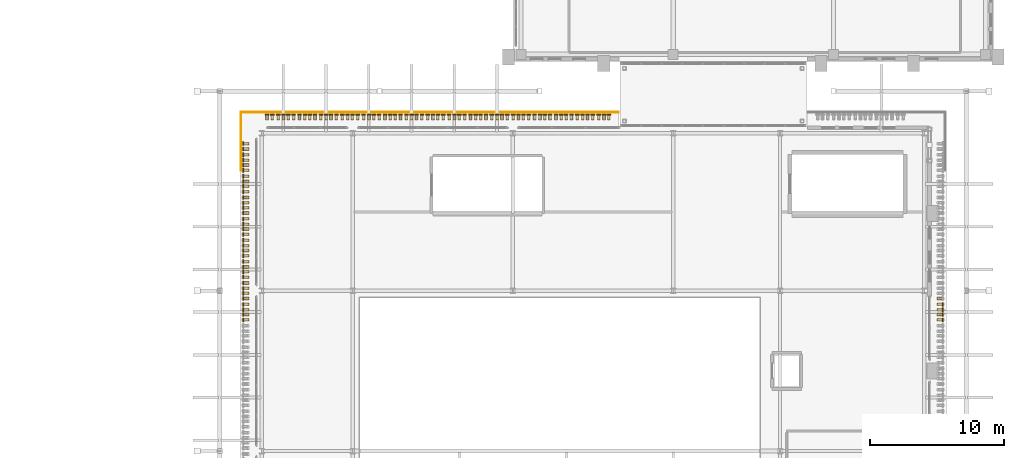
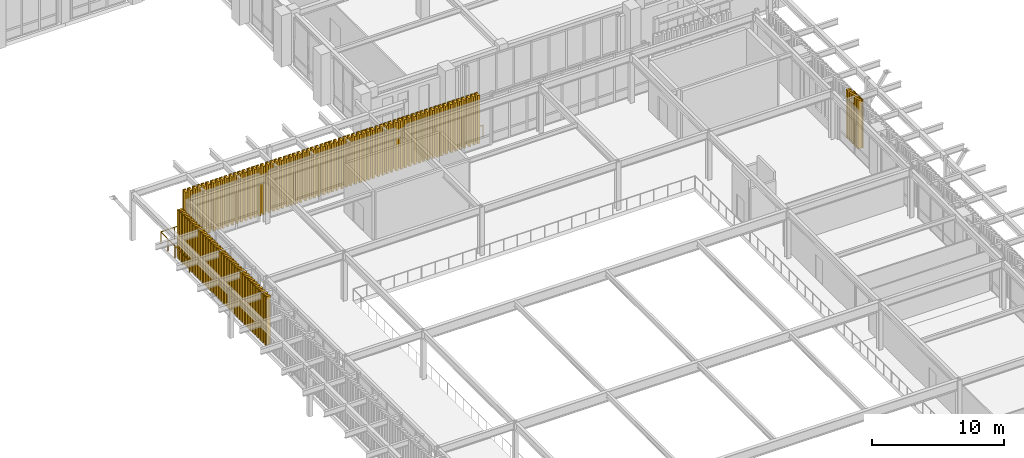
# One storey, part 123 of 126: 104 coverings, 103 shading devices, 1 railing.
"""IFC4 building model written with IfcOpenShell, lengths in metres."""

from ifc_helpers import new_model, si_unit, derived_unit, direction, frame, origin, origin_2d, place, context, subcontext, project, spatial, rectangle, circle, extrude, material, layer, layer_set, material_profile, profile_set, type_object, element, save


model = new_model("IFC4")

# Units and contexts
model_context = context("Model", 3, precision=1e-05, world=origin(), true_north=direction((0.0, 1.0)))
body_context = subcontext(model_context, "Body", "Model", "MODEL_VIEW")
ifc_project = project(units=[si_unit("LENGTHUNIT", "METRE"), si_unit("AREAUNIT", "SQUARE_METRE"), si_unit("VOLUMEUNIT", "CUBIC_METRE"), si_unit("PLANEANGLEUNIT", "RADIAN"), si_unit("MASSUNIT", "GRAM", prefix="KILO"), derived_unit("THERMALTRANSMITTANCEUNIT", [(si_unit("MASSUNIT", "GRAM", prefix="KILO"), 1), (si_unit("TIMEUNIT", "SECOND"), -3), (si_unit("THERMODYNAMICTEMPERATUREUNIT", "KELVIN"), -1)])], contexts=[model_context])

# Site, building, storey
site_placement = place(None, origin())
site = spatial("IfcSite", under=ifc_project, at=site_placement, CompositionType="ELEMENT")
building_placement = place(site_placement, origin())
building = spatial("IfcBuilding", under=site, at=building_placement, Name="Valcora Ridge Arena", CompositionType="ELEMENT")
storey_placement = place(building_placement, frame((0.0, 0.0, 11.39990234375)))
storey = spatial("IfcBuildingStorey", under=building, at=storey_placement, Name="L02", CompositionType="ELEMENT", Elevation=11.39990234375)

# Coverings
ifc_material_1 = material(Name="Anodised terracotta-bronze aluminium lancet batten 6063-T6", Category="masonry")
ifc_layer = layer(ifc_material_1, 0.199951171875, Name="Anodised terracotta-bronze aluminium lancet batten 6063-T6")
ifc_layer_set = layer_set([ifc_layer], Name="Anodised terracotta-bronze aluminium lancet batten 6063-T6")
covering_type = type_object("IfcCoveringType", Name="TY-COVERING-BAT-LANCET-448", PredefinedType="CLADDING", material=ifc_layer_set)
for number, where, z_axis, x_axis, name in (
    (1, (136.050048828125, 63.820068359375, 0.0), (0.0, 0.0, 1.0), (1.0, 0.0, 0.0), "BAT-LANCET-448 COV-BT-0293"),
    (2, (187.949951171875, 63.820068359375, 0.0), (0.0, 0.0, 1.0), (1.0, 0.0, 0.0), "BAT-LANCET-448 COV-BT-0294"),
    (3, (136.050048828125, 64.219970703125, 0.0), (0.0, 0.0, 1.0), (1.0, 0.0, 0.0), "BAT-LANCET-448 COV-BT-0295"),
    (4, (187.949951171875, 64.219970703125, 0.0), (0.0, 0.0, 1.0), (1.0, 0.0, 0.0), "BAT-LANCET-448 COV-BT-0296"),
    (5, (136.050048828125, 64.580078125, 0.0), (0.0, 0.0, 1.0), (1.0, 0.0, 0.0), "BAT-LANCET-448 COV-BT-0297"),
    (6, (187.949951171875, 64.580078125, 0.0), (0.0, 0.0, 1.0), (1.0, 0.0, 0.0), "BAT-LANCET-448 COV-BT-0298"),
    (7, (136.050048828125, 64.97998046875, 0.0), (0.0, 0.0, 1.0), (1.0, 0.0, 0.0), "BAT-LANCET-448 COV-BT-0299"),
    (8, (187.949951171875, 64.97998046875, 0.0), (0.0, 0.0, 1.0), (1.0, 0.0, 0.0), "BAT-LANCET-448 COV-BT-0300"),
    (9, (136.050048828125, 65.419921875, 0.0), (0.0, 0.0, 1.0), (1.0, 0.0, 0.0), "BAT-LANCET-448 COV-BT-0301"),
    (10, (187.949951171875, 65.419921875, 0.0), (0.0, 0.0, 1.0), (1.0, 0.0, 0.0), "BAT-LANCET-448 COV-BT-0302"),
    (11, (136.050048828125, 65.820068359375, 0.0), (0.0, 0.0, 1.0), (1.0, 0.0, 0.0), "BAT-LANCET-448 COV-BT-0303"),
    (12, (136.050048828125, 66.179931640625, 0.0), (0.0, 0.0, 1.0), (1.0, 0.0, 0.0), "BAT-LANCET-448 COV-BT-0305"),
    (13, (136.050048828125, 66.580078125, 0.0), (0.0, 0.0, 1.0), (1.0, 0.0, 0.0), "BAT-LANCET-448 COV-BT-0307"),
    (14, (136.050048828125, 67.02001953125, 0.0), (0.0, 0.0, 1.0), (1.0, 0.0, 0.0), "BAT-LANCET-448 COV-BT-0309"),
    (15, (136.050048828125, 67.419921875, 0.0), (0.0, 0.0, 1.0), (1.0, 0.0, 0.0), "BAT-LANCET-448 COV-BT-0311"),
    (16, (136.050048828125, 67.780029296875, 0.0), (0.0, 0.0, 1.0), (1.0, 0.0, 0.0), "BAT-LANCET-448 COV-BT-0313"),
    (17, (136.050048828125, 68.179931640625, 0.0), (0.0, 0.0, 1.0), (1.0, 0.0, 0.0), "BAT-LANCET-448 COV-BT-0315"),
    (18, (136.050048828125, 68.6201171875, 0.0), (0.0, 0.0, 1.0), (1.0, 0.0, 0.0), "BAT-LANCET-448 COV-BT-0317"),
    (19, (136.050048828125, 69.02001953125, 0.0), (0.0, 0.0, 1.0), (1.0, 0.0, 0.0), "BAT-LANCET-448 COV-BT-0319"),
    (20, (136.050048828125, 69.3798828125, 0.0), (0.0, 0.0, 1.0), (1.0, 0.0, 0.0), "BAT-LANCET-448 COV-BT-0321"),
    (21, (136.050048828125, 69.780029296875, 0.0), (0.0, 0.0, 1.0), (1.0, 0.0, 0.0), "BAT-LANCET-448 COV-BT-0323"),
    (22, (136.050048828125, 70.219970703125, 0.0), (0.0, 0.0, 1.0), (1.0, 0.0, 0.0), "BAT-LANCET-448 COV-BT-0325"),
    (23, (136.050048828125, 70.6201171875, 0.0), (0.0, 0.0, 1.0), (1.0, 0.0, 0.0), "BAT-LANCET-448 COV-BT-0327"),
    (24, (136.050048828125, 70.97998046875, 0.0), (0.0, 0.0, 1.0), (1.0, 0.0, 0.0), "BAT-LANCET-448 COV-BT-0329"),
    (25, (136.050048828125, 71.3798828125, 0.0), (0.0, 0.0, 1.0), (1.0, 0.0, 0.0), "BAT-LANCET-448 COV-BT-0331"),
    (26, (136.050048828125, 71.820068359375, 0.0), (0.0, 0.0, 1.0), (1.0, 0.0, 0.0), "BAT-LANCET-448 COV-BT-0333"),
    (27, (136.050048828125, 72.219970703125, 0.0), (0.0, 0.0, 1.0), (1.0, 0.0, 0.0), "BAT-LANCET-448 COV-BT-0335"),
    (28, (136.050048828125, 72.580078125, 0.0), (0.0, 0.0, 1.0), (1.0, 0.0, 0.0), "BAT-LANCET-448 COV-BT-0337"),
    (29, (136.050048828125, 72.97998046875, 0.0), (0.0, 0.0, 1.0), (1.0, 0.0, 0.0), "BAT-LANCET-448 COV-BT-0339"),
    (30, (136.050048828125, 73.419921875, 0.0), (0.0, 0.0, 1.0), (1.0, 0.0, 0.0), "BAT-LANCET-448 COV-BT-0341"),
    (31, (136.050048828125, 73.820068359375, 0.0), (0.0, 0.0, 1.0), (1.0, 0.0, 0.0), "BAT-LANCET-448 COV-BT-0343"),
    (32, (136.050048828125, 74.179931640625, 0.0), (0.0, 0.0, 1.0), (1.0, 0.0, 0.0), "BAT-LANCET-448 COV-BT-0345"),
    (33, (136.050048828125, 74.580078125, 0.0), (0.0, 0.0, 1.0), (1.0, 0.0, 0.0), "BAT-LANCET-448 COV-BT-0347"),
    (34, (136.050048828125, 75.02001953125, 0.0), (0.0, 0.0, 1.0), (1.0, 0.0, 0.0), "BAT-LANCET-448 COV-BT-0349"),
    (35, (136.050048828125, 75.419921875, 0.0), (0.0, 0.0, 1.0), (1.0, 0.0, 0.0), "BAT-LANCET-448 COV-BT-0351"),
    (36, (136.050048828125, 75.780029296875, 0.0), (0.0, 0.0, 1.0), (1.0, 0.0, 0.0), "BAT-LANCET-448 COV-BT-0353"),
    (37, (136.050048828125, 76.179931640625, 0.0), (0.0, 0.0, 1.0), (1.0, 0.0, 0.0), "BAT-LANCET-448 COV-BT-0355"),
    (38, (136.050048828125, 76.6201171875, 0.0), (0.0, 0.0, 1.0), (1.0, 0.0, 0.0), "BAT-LANCET-448 COV-BT-0357"),
    (39, (136.050048828125, 77.02001953125, 0.0), (0.0, 0.0, 1.0), (1.0, 0.0, 0.0), "BAT-LANCET-448 COV-BT-0359"),
):
    element("IfcCovering", number, at=place(storey_placement, frame(where, z_axis=z_axis, x_axis=x_axis)), inside=storey, type_object=covering_type, Name=name, PredefinedType="CLADDING", context=body_context, shape_type="SweptSolid", body=[
        extrude(rectangle(XDim=0.360107421875, YDim=0.199951171875, at=origin_2d()), origin(), (0.0, 0.0, 1.0), 4.47998046875),
    ])
for number, where, z_axis, x_axis, name in (
    (40, (137.580078125, 78.949951171875, 0.0), (0.0, 0.0, 1.0), (1.0, 0.0, 0.0), "BAT-LANCET-448 COV-BT-0362"),
    (41, (137.97998046875, 78.949951171875, 0.0), (0.0, 0.0, 1.0), (1.0, 0.0, 0.0), "BAT-LANCET-448 COV-BT-0364"),
    (42, (138.419921875, 78.949951171875, 0.0), (0.0, 0.0, 1.0), (1.0, 0.0, 0.0), "BAT-LANCET-448 COV-BT-0366"),
    (43, (138.820068359375, 78.949951171875, 0.0), (0.0, 0.0, 1.0), (1.0, 0.0, 0.0), "BAT-LANCET-448 COV-BT-0368"),
    (44, (139.179931640625, 78.949951171875, 0.0), (0.0, 0.0, 1.0), (1.0, 0.0, 0.0), "BAT-LANCET-448 COV-BT-0370"),
    (45, (139.580078125, 78.949951171875, 0.0), (0.0, 0.0, 1.0), (1.0, 0.0, 0.0), "BAT-LANCET-448 COV-BT-0372"),
    (46, (140.02001953125, 78.949951171875, 0.0), (0.0, 0.0, 1.0), (1.0, 0.0, 0.0), "BAT-LANCET-448 COV-BT-0374"),
    (47, (140.419921875, 78.949951171875, 0.0), (0.0, 0.0, 1.0), (1.0, 0.0, 0.0), "BAT-LANCET-448 COV-BT-0376"),
    (48, (140.780029296875, 78.949951171875, 0.0), (0.0, 0.0, 1.0), (1.0, 0.0, 0.0), "BAT-LANCET-448 COV-BT-0378"),
    (49, (141.179931640625, 78.949951171875, 0.0), (0.0, 0.0, 1.0), (1.0, 0.0, 0.0), "BAT-LANCET-448 COV-BT-0380"),
    (50, (141.6201171875, 78.949951171875, 0.0), (0.0, 0.0, 1.0), (1.0, 0.0, 0.0), "BAT-LANCET-448 COV-BT-0382"),
    (51, (142.02001953125, 78.949951171875, 0.0), (0.0, 0.0, 1.0), (1.0, 0.0, 0.0), "BAT-LANCET-448 COV-BT-0384"),
    (52, (142.3798828125, 78.949951171875, 0.0), (0.0, 0.0, 1.0), (1.0, 0.0, 0.0), "BAT-LANCET-448 COV-BT-0386"),
    (53, (142.780029296875, 78.949951171875, 0.0), (0.0, 0.0, 1.0), (1.0, 0.0, 0.0), "BAT-LANCET-448 COV-BT-0388"),
    (54, (143.219970703125, 78.949951171875, 0.0), (0.0, 0.0, 1.0), (1.0, 0.0, 0.0), "BAT-LANCET-448 COV-BT-0390"),
    (55, (143.6201171875, 78.949951171875, 0.0), (0.0, 0.0, 1.0), (1.0, 0.0, 0.0), "BAT-LANCET-448 COV-BT-0392"),
    (56, (143.97998046875, 78.949951171875, 0.0), (0.0, 0.0, 1.0), (1.0, 0.0, 0.0), "BAT-LANCET-448 COV-BT-0394"),
    (57, (144.3798828125, 78.949951171875, 0.0), (0.0, 0.0, 1.0), (1.0, 0.0, 0.0), "BAT-LANCET-448 COV-BT-0396"),
    (58, (144.820068359375, 78.949951171875, 0.0), (0.0, 0.0, 1.0), (1.0, 0.0, 0.0), "BAT-LANCET-448 COV-BT-0398"),
    (59, (145.219970703125, 78.949951171875, 0.0), (0.0, 0.0, 1.0), (1.0, 0.0, 0.0), "BAT-LANCET-448 COV-BT-0400"),
    (60, (145.580078125, 78.949951171875, 0.0), (0.0, 0.0, 1.0), (1.0, 0.0, 0.0), "BAT-LANCET-448 COV-BT-0402"),
    (61, (145.97998046875, 78.949951171875, 0.0), (0.0, 0.0, 1.0), (1.0, 0.0, 0.0), "BAT-LANCET-448 COV-BT-0404"),
    (62, (146.419921875, 78.949951171875, 0.0), (0.0, 0.0, 1.0), (1.0, 0.0, 0.0), "BAT-LANCET-448 COV-BT-0406"),
    (63, (146.820068359375, 78.949951171875, 0.0), (0.0, 0.0, 1.0), (1.0, 0.0, 0.0), "BAT-LANCET-448 COV-BT-0408"),
    (64, (147.179931640625, 78.949951171875, 0.0), (0.0, 0.0, 1.0), (1.0, 0.0, 0.0), "BAT-LANCET-448 COV-BT-0410"),
    (65, (147.580078125, 78.949951171875, 0.0), (0.0, 0.0, 1.0), (1.0, 0.0, 0.0), "BAT-LANCET-448 COV-BT-0412"),
    (66, (148.02001953125, 78.949951171875, 0.0), (0.0, 0.0, 1.0), (1.0, 0.0, 0.0), "BAT-LANCET-448 COV-BT-0414"),
    (67, (148.419921875, 78.949951171875, 0.0), (0.0, 0.0, 1.0), (1.0, 0.0, 0.0), "BAT-LANCET-448 COV-BT-0416"),
    (68, (148.780029296875, 78.949951171875, 0.0), (0.0, 0.0, 1.0), (1.0, 0.0, 0.0), "BAT-LANCET-448 COV-BT-0418"),
    (69, (149.179931640625, 78.949951171875, 0.0), (0.0, 0.0, 1.0), (1.0, 0.0, 0.0), "BAT-LANCET-448 COV-BT-0420"),
    (70, (149.6201171875, 78.949951171875, 0.0), (0.0, 0.0, 1.0), (1.0, 0.0, 0.0), "BAT-LANCET-448 COV-BT-0422"),
    (71, (150.02001953125, 78.949951171875, 0.0), (0.0, 0.0, 1.0), (1.0, 0.0, 0.0), "BAT-LANCET-448 COV-BT-0424"),
    (72, (150.3798828125, 78.949951171875, 0.0), (0.0, 0.0, 1.0), (1.0, 0.0, 0.0), "BAT-LANCET-448 COV-BT-0426"),
    (73, (150.780029296875, 78.949951171875, 0.0), (0.0, 0.0, 1.0), (1.0, 0.0, 0.0), "BAT-LANCET-448 COV-BT-0428"),
    (74, (151.219970703125, 78.949951171875, 0.0), (0.0, 0.0, 1.0), (1.0, 0.0, 0.0), "BAT-LANCET-448 COV-BT-0430"),
    (75, (151.6201171875, 78.949951171875, 0.0), (0.0, 0.0, 1.0), (1.0, 0.0, 0.0), "BAT-LANCET-448 COV-BT-0432"),
    (76, (151.97998046875, 78.949951171875, 0.0), (0.0, 0.0, 1.0), (1.0, 0.0, 0.0), "BAT-LANCET-448 COV-BT-0434"),
    (77, (152.3798828125, 78.949951171875, 0.0), (0.0, 0.0, 1.0), (1.0, 0.0, 0.0), "BAT-LANCET-448 COV-BT-0436"),
    (78, (152.820068359375, 78.949951171875, 0.0), (0.0, 0.0, 1.0), (1.0, 0.0, 0.0), "BAT-LANCET-448 COV-BT-0438"),
    (79, (153.219970703125, 78.949951171875, 0.0), (0.0, 0.0, 1.0), (1.0, 0.0, 0.0), "BAT-LANCET-448 COV-BT-0440"),
    (80, (153.580078125, 78.949951171875, 0.0), (0.0, 0.0, 1.0), (1.0, 0.0, 0.0), "BAT-LANCET-448 COV-BT-0442"),
    (81, (153.97998046875, 78.949951171875, 0.0), (0.0, 0.0, 1.0), (1.0, 0.0, 0.0), "BAT-LANCET-448 COV-BT-0444"),
    (82, (154.419921875, 78.949951171875, 0.0), (0.0, 0.0, 1.0), (1.0, 0.0, 0.0), "BAT-LANCET-448 COV-BT-0446"),
    (83, (154.820068359375, 78.949951171875, 0.0), (0.0, 0.0, 1.0), (1.0, 0.0, 0.0), "BAT-LANCET-448 COV-BT-0448"),
    (84, (155.179931640625, 78.949951171875, 0.0), (0.0, 0.0, 1.0), (1.0, 0.0, 0.0), "BAT-LANCET-448 COV-BT-0450"),
    (85, (155.580078125, 78.949951171875, 0.0), (0.0, 0.0, 1.0), (1.0, 0.0, 0.0), "BAT-LANCET-448 COV-BT-0452"),
    (86, (156.02001953125, 78.949951171875, 0.0), (0.0, 0.0, 1.0), (1.0, 0.0, 0.0), "BAT-LANCET-448 COV-BT-0454"),
    (87, (156.419921875, 78.949951171875, 0.0), (0.0, 0.0, 1.0), (1.0, 0.0, 0.0), "BAT-LANCET-448 COV-BT-0456"),
    (88, (156.780029296875, 78.949951171875, 0.0), (0.0, 0.0, 1.0), (1.0, 0.0, 0.0), "BAT-LANCET-448 COV-BT-0458"),
    (89, (157.179931640625, 78.949951171875, 0.0), (0.0, 0.0, 1.0), (1.0, 0.0, 0.0), "BAT-LANCET-448 COV-BT-0460"),
    (90, (157.6201171875, 78.949951171875, 0.0), (0.0, 0.0, 1.0), (1.0, 0.0, 0.0), "BAT-LANCET-448 COV-BT-0462"),
    (91, (158.02001953125, 78.949951171875, 0.0), (0.0, 0.0, 1.0), (1.0, 0.0, 0.0), "BAT-LANCET-448 COV-BT-0464"),
    (92, (158.3798828125, 78.949951171875, 0.0), (0.0, 0.0, 1.0), (1.0, 0.0, 0.0), "BAT-LANCET-448 COV-BT-0466"),
    (93, (158.780029296875, 78.949951171875, 0.0), (0.0, 0.0, 1.0), (1.0, 0.0, 0.0), "BAT-LANCET-448 COV-BT-0468"),
    (94, (159.219970703125, 78.949951171875, 0.0), (0.0, 0.0, 1.0), (1.0, 0.0, 0.0), "BAT-LANCET-448 COV-BT-0470"),
    (95, (159.6201171875, 78.949951171875, 0.0), (0.0, 0.0, 1.0), (1.0, 0.0, 0.0), "BAT-LANCET-448 COV-BT-0472"),
    (96, (159.97998046875, 78.949951171875, 0.0), (0.0, 0.0, 1.0), (1.0, 0.0, 0.0), "BAT-LANCET-448 COV-BT-0474"),
    (97, (160.3798828125, 78.949951171875, 0.0), (0.0, 0.0, 1.0), (1.0, 0.0, 0.0), "BAT-LANCET-448 COV-BT-0476"),
    (98, (160.820068359375, 78.949951171875, 0.0), (0.0, 0.0, 1.0), (1.0, 0.0, 0.0), "BAT-LANCET-448 COV-BT-0478"),
    (99, (161.219970703125, 78.949951171875, 0.0), (0.0, 0.0, 1.0), (1.0, 0.0, 0.0), "BAT-LANCET-448 COV-BT-0480"),
    (100, (161.580078125, 78.949951171875, 0.0), (0.0, 0.0, 1.0), (1.0, 0.0, 0.0), "BAT-LANCET-448 COV-BT-0482"),
    (101, (161.97998046875, 78.949951171875, 0.0), (0.0, 0.0, 1.0), (1.0, 0.0, 0.0), "BAT-LANCET-448 COV-BT-0484"),
    (102, (162.419921875, 78.949951171875, 0.0), (0.0, 0.0, 1.0), (1.0, 0.0, 0.0), "BAT-LANCET-448 COV-BT-0486"),
    (103, (162.820068359375, 78.949951171875, 0.0), (0.0, 0.0, 1.0), (1.0, 0.0, 0.0), "BAT-LANCET-448 COV-BT-0488"),
    (104, (163.179931640625, 78.949951171875, 0.0), (0.0, 0.0, 1.0), (1.0, 0.0, 0.0), "BAT-LANCET-448 COV-BT-0490"),
):
    element("IfcCovering", number, at=place(storey_placement, frame(where, z_axis=z_axis, x_axis=x_axis)), inside=storey, type_object=covering_type, Name=name, PredefinedType="CLADDING", context=body_context, shape_type="SweptSolid", body=[
        extrude(rectangle(XDim=0.199951171875, YDim=0.360107421875, at=origin_2d()), origin(), (0.0, 0.0, 1.0), 4.47998046875),
    ])

# Railing
ifc_material_2 = material(Name="Galvanized painted steel ASTM A500 Grade B", Category="steel")
railing_type = type_object("IfcRailingType", Name="TY-RAILING-GRD-VOID-1120", PredefinedType="GUARDRAIL", material=ifc_material_2)
railing_placement = place(storey_placement, frame((135.6298828125, 75.0, 0.0)))
element("IfcRailing", 105, at=railing_placement, inside=storey, type_object=railing_type, Name="GRD-VOID-1120 RAL-DK-0026", PredefinedType="GUARDRAIL", context=body_context, shape_type="SweptSolid", body=[
    extrude(circle(Radius=0.02392578125, at=origin_2d()), frame((0.0, 0.0, 1.09619140625), z_axis=(0.0, 1.0, 0.0), x_axis=(-1.0, 0.0, 0.0)), (0.0, 0.0, 1.0), 4.3701171875),
    extrude(circle(Radius=0.02392578125, at=origin_2d()), frame((0.0, 4.3701171875, 1.09619140625), z_axis=(1.0, 0.0, 0.0), x_axis=(0.0, 1.0, 0.0)), (0.0, 0.0, 1.0), 28.2900390625),
    extrude(circle(Radius=0.02099609375, at=origin_2d()), origin(), (0.0, 0.0, 1.0), 1.072021484375),
    extrude(circle(Radius=0.02099609375, at=origin_2d()), frame((0.0, 1.092529296875, 0.0)), (0.0, 0.0, 1.0), 1.072021484375),
    extrude(circle(Radius=0.02099609375, at=origin_2d()), frame((0.0, 2.18505859375, 0.0)), (0.0, 0.0, 1.0), 1.072021484375),
    extrude(circle(Radius=0.02099609375, at=origin_2d()), frame((0.0, 3.277587890625, 0.0)), (0.0, 0.0, 1.0), 1.072021484375),
    extrude(circle(Radius=0.02099609375, at=origin_2d()), frame((0.0, 4.3701171875, 0.0)), (0.0, 0.0, 1.0), 1.072021484375),
    extrude(circle(Radius=0.02099609375, at=origin_2d()), frame((1.1787109375, 4.3701171875, 0.0)), (0.0, 0.0, 1.0), 1.072021484375),
    extrude(circle(Radius=0.02099609375, at=origin_2d()), frame((2.357421875, 4.3701171875, 0.0)), (0.0, 0.0, 1.0), 1.072021484375),
    extrude(circle(Radius=0.02099609375, at=origin_2d()), frame((3.5361328125, 4.3701171875, 0.0)), (0.0, 0.0, 1.0), 1.072021484375),
    extrude(circle(Radius=0.02099609375, at=origin_2d()), frame((4.715087890625, 4.3701171875, 0.0)), (0.0, 0.0, 1.0), 1.072021484375),
    extrude(circle(Radius=0.02099609375, at=origin_2d()), frame((5.893798828125, 4.3701171875, 0.0)), (0.0, 0.0, 1.0), 1.072021484375),
    extrude(circle(Radius=0.02099609375, at=origin_2d()), frame((7.072509765625, 4.3701171875, 0.0)), (0.0, 0.0, 1.0), 1.072021484375),
    extrude(circle(Radius=0.02099609375, at=origin_2d()), frame((8.251220703125, 4.3701171875, 0.0)), (0.0, 0.0, 1.0), 1.072021484375),
    extrude(circle(Radius=0.02099609375, at=origin_2d()), frame((9.429931640625, 4.3701171875, 0.0)), (0.0, 0.0, 1.0), 1.072021484375),
    extrude(circle(Radius=0.02099609375, at=origin_2d()), frame((10.60888671875, 4.3701171875, 0.0)), (0.0, 0.0, 1.0), 1.072021484375),
    extrude(circle(Radius=0.02099609375, at=origin_2d()), frame((11.78759765625, 4.3701171875, 0.0)), (0.0, 0.0, 1.0), 1.072021484375),
    extrude(circle(Radius=0.02099609375, at=origin_2d()), frame((12.96630859375, 4.3701171875, 0.0)), (0.0, 0.0, 1.0), 1.072021484375),
    extrude(circle(Radius=0.02099609375, at=origin_2d()), frame((14.14501953125, 4.3701171875, 0.0)), (0.0, 0.0, 1.0), 1.072021484375),
    extrude(circle(Radius=0.02099609375, at=origin_2d()), frame((15.32373046875, 4.3701171875, 0.0)), (0.0, 0.0, 1.0), 1.072021484375),
    extrude(circle(Radius=0.02099609375, at=origin_2d()), frame((16.50244140625, 4.3701171875, 0.0)), (0.0, 0.0, 1.0), 1.072021484375),
    extrude(circle(Radius=0.02099609375, at=origin_2d()), frame((17.68115234375, 4.3701171875, 0.0)), (0.0, 0.0, 1.0), 1.072021484375),
    extrude(circle(Radius=0.02099609375, at=origin_2d()), frame((18.860107421875, 4.3701171875, 0.0)), (0.0, 0.0, 1.0), 1.072021484375),
    extrude(circle(Radius=0.02099609375, at=origin_2d()), frame((20.038818359375, 4.3701171875, 0.0)), (0.0, 0.0, 1.0), 1.072021484375),
    extrude(circle(Radius=0.02099609375, at=origin_2d()), frame((21.217529296875, 4.3701171875, 0.0)), (0.0, 0.0, 1.0), 1.072021484375),
    extrude(circle(Radius=0.02099609375, at=origin_2d()), frame((22.396240234375, 4.3701171875, 0.0)), (0.0, 0.0, 1.0), 1.072021484375),
    extrude(circle(Radius=0.02099609375, at=origin_2d()), frame((23.574951171875, 4.3701171875, 0.0)), (0.0, 0.0, 1.0), 1.072021484375),
    extrude(circle(Radius=0.02099609375, at=origin_2d()), frame((24.75390625, 4.3701171875, 0.0)), (0.0, 0.0, 1.0), 1.072021484375),
    extrude(circle(Radius=0.02099609375, at=origin_2d()), frame((25.9326171875, 4.3701171875, 0.0)), (0.0, 0.0, 1.0), 1.072021484375),
    extrude(circle(Radius=0.02099609375, at=origin_2d()), frame((27.111328125, 4.3701171875, 0.0)), (0.0, 0.0, 1.0), 1.072021484375),
    extrude(circle(Radius=0.02099609375, at=origin_2d()), frame((28.2900390625, 4.3701171875, 0.0)), (0.0, 0.0, 1.0), 1.072021484375),
])

# Shading devices
ifc_material_profile = material_profile(ifc_material_1, rectangle(XDim=0.090087890625, YDim=0.27587890625, at=origin_2d()), Name="ALU LANCET BATTEN 90x276")
ifc_profile_set = profile_set([ifc_material_profile], Name="Anodised terracotta-bronze aluminium lancet batten 6063-T6")
shading_device_type = type_object("IfcShadingDeviceType", Name="TY-SHADINGDEVICE-FIN-LANCET-448", PredefinedType="JALOUSIE", material=ifc_profile_set)
for number, where, z_axis, x_axis, name in (
    (106, (135.81005859375, 63.820068359375, 0.0), (0.0, 0.0, 1.0), (1.0, 0.0, 0.0), "FIN-LANCET-448 SHD-FN-0293"),
    (107, (188.18994140625, 63.820068359375, 0.0), (0.0, 0.0, 1.0), (1.0, 0.0, 0.0), "FIN-LANCET-448 SHD-FN-0294"),
    (108, (135.81005859375, 64.219970703125, 0.0), (0.0, 0.0, 1.0), (1.0, 0.0, 0.0), "FIN-LANCET-448 SHD-FN-0295"),
    (109, (188.18994140625, 64.219970703125, 0.0), (0.0, 0.0, 1.0), (1.0, 0.0, 0.0), "FIN-LANCET-448 SHD-FN-0296"),
    (110, (135.81005859375, 64.580078125, 0.0), (0.0, 0.0, 1.0), (1.0, 0.0, 0.0), "FIN-LANCET-448 SHD-FN-0297"),
    (111, (188.18994140625, 64.580078125, 0.0), (0.0, 0.0, 1.0), (1.0, 0.0, 0.0), "FIN-LANCET-448 SHD-FN-0298"),
    (112, (135.81005859375, 64.97998046875, 0.0), (0.0, 0.0, 1.0), (1.0, 0.0, 0.0), "FIN-LANCET-448 SHD-FN-0299"),
    (113, (188.18994140625, 64.97998046875, 0.0), (0.0, 0.0, 1.0), (1.0, 0.0, 0.0), "FIN-LANCET-448 SHD-FN-0300"),
    (114, (135.81005859375, 65.419921875, 0.0), (0.0, 0.0, 1.0), (1.0, 0.0, 0.0), "FIN-LANCET-448 SHD-FN-0301"),
    (115, (135.81005859375, 65.820068359375, 0.0), (0.0, 0.0, 1.0), (1.0, 0.0, 0.0), "FIN-LANCET-448 SHD-FN-0303"),
    (116, (135.81005859375, 66.179931640625, 0.0), (0.0, 0.0, 1.0), (1.0, 0.0, 0.0), "FIN-LANCET-448 SHD-FN-0305"),
    (117, (135.81005859375, 66.580078125, 0.0), (0.0, 0.0, 1.0), (1.0, 0.0, 0.0), "FIN-LANCET-448 SHD-FN-0307"),
    (118, (135.81005859375, 67.02001953125, 0.0), (0.0, 0.0, 1.0), (1.0, 0.0, 0.0), "FIN-LANCET-448 SHD-FN-0309"),
    (119, (135.81005859375, 67.419921875, 0.0), (0.0, 0.0, 1.0), (1.0, 0.0, 0.0), "FIN-LANCET-448 SHD-FN-0311"),
    (120, (135.81005859375, 67.780029296875, 0.0), (0.0, 0.0, 1.0), (1.0, 0.0, 0.0), "FIN-LANCET-448 SHD-FN-0313"),
    (121, (135.81005859375, 68.179931640625, 0.0), (0.0, 0.0, 1.0), (1.0, 0.0, 0.0), "FIN-LANCET-448 SHD-FN-0315"),
    (122, (135.81005859375, 68.6201171875, 0.0), (0.0, 0.0, 1.0), (1.0, 0.0, 0.0), "FIN-LANCET-448 SHD-FN-0317"),
    (123, (135.81005859375, 69.02001953125, 0.0), (0.0, 0.0, 1.0), (1.0, 0.0, 0.0), "FIN-LANCET-448 SHD-FN-0319"),
    (124, (135.81005859375, 69.3798828125, 0.0), (0.0, 0.0, 1.0), (1.0, 0.0, 0.0), "FIN-LANCET-448 SHD-FN-0321"),
    (125, (135.81005859375, 69.780029296875, 0.0), (0.0, 0.0, 1.0), (1.0, 0.0, 0.0), "FIN-LANCET-448 SHD-FN-0323"),
    (126, (135.81005859375, 70.219970703125, 0.0), (0.0, 0.0, 1.0), (1.0, 0.0, 0.0), "FIN-LANCET-448 SHD-FN-0325"),
    (127, (135.81005859375, 70.6201171875, 0.0), (0.0, 0.0, 1.0), (1.0, 0.0, 0.0), "FIN-LANCET-448 SHD-FN-0327"),
    (128, (135.81005859375, 70.97998046875, 0.0), (0.0, 0.0, 1.0), (1.0, 0.0, 0.0), "FIN-LANCET-448 SHD-FN-0329"),
    (129, (135.81005859375, 71.3798828125, 0.0), (0.0, 0.0, 1.0), (1.0, 0.0, 0.0), "FIN-LANCET-448 SHD-FN-0331"),
    (130, (135.81005859375, 71.820068359375, 0.0), (0.0, 0.0, 1.0), (1.0, 0.0, 0.0), "FIN-LANCET-448 SHD-FN-0333"),
    (131, (135.81005859375, 72.219970703125, 0.0), (0.0, 0.0, 1.0), (1.0, 0.0, 0.0), "FIN-LANCET-448 SHD-FN-0335"),
    (132, (135.81005859375, 72.580078125, 0.0), (0.0, 0.0, 1.0), (1.0, 0.0, 0.0), "FIN-LANCET-448 SHD-FN-0337"),
    (133, (135.81005859375, 72.97998046875, 0.0), (0.0, 0.0, 1.0), (1.0, 0.0, 0.0), "FIN-LANCET-448 SHD-FN-0339"),
    (134, (135.81005859375, 73.419921875, 0.0), (0.0, 0.0, 1.0), (1.0, 0.0, 0.0), "FIN-LANCET-448 SHD-FN-0341"),
    (135, (135.81005859375, 73.820068359375, 0.0), (0.0, 0.0, 1.0), (1.0, 0.0, 0.0), "FIN-LANCET-448 SHD-FN-0343"),
    (136, (135.81005859375, 74.179931640625, 0.0), (0.0, 0.0, 1.0), (1.0, 0.0, 0.0), "FIN-LANCET-448 SHD-FN-0345"),
    (137, (135.81005859375, 74.580078125, 0.0), (0.0, 0.0, 1.0), (1.0, 0.0, 0.0), "FIN-LANCET-448 SHD-FN-0347"),
    (138, (135.81005859375, 75.02001953125, 0.0), (0.0, 0.0, 1.0), (1.0, 0.0, 0.0), "FIN-LANCET-448 SHD-FN-0349"),
    (139, (135.81005859375, 75.419921875, 0.0), (0.0, 0.0, 1.0), (1.0, 0.0, 0.0), "FIN-LANCET-448 SHD-FN-0351"),
    (140, (135.81005859375, 75.780029296875, 0.0), (0.0, 0.0, 1.0), (1.0, 0.0, 0.0), "FIN-LANCET-448 SHD-FN-0353"),
    (141, (135.81005859375, 76.179931640625, 0.0), (0.0, 0.0, 1.0), (1.0, 0.0, 0.0), "FIN-LANCET-448 SHD-FN-0355"),
    (142, (135.81005859375, 76.6201171875, 0.0), (0.0, 0.0, 1.0), (1.0, 0.0, 0.0), "FIN-LANCET-448 SHD-FN-0357"),
    (143, (135.81005859375, 77.02001953125, 0.0), (0.0, 0.0, 1.0), (1.0, 0.0, 0.0), "FIN-LANCET-448 SHD-FN-0359"),
    (144, (137.580078125, 79.18994140625, 0.0), (0.0, 0.0, 1.0), (0.0, 1.0, 0.0), "FIN-LANCET-448 SHD-FN-0362"),
    (145, (137.97998046875, 79.18994140625, 0.0), (0.0, 0.0, 1.0), (0.0, 1.0, 0.0), "FIN-LANCET-448 SHD-FN-0364"),
    (146, (138.419921875, 79.18994140625, 0.0), (0.0, 0.0, 1.0), (0.0, 1.0, 0.0), "FIN-LANCET-448 SHD-FN-0366"),
    (147, (138.820068359375, 79.18994140625, 0.0), (0.0, 0.0, 1.0), (0.0, 1.0, 0.0), "FIN-LANCET-448 SHD-FN-0368"),
    (148, (139.179931640625, 79.18994140625, 0.0), (0.0, 0.0, 1.0), (0.0, 1.0, 0.0), "FIN-LANCET-448 SHD-FN-0370"),
    (149, (139.580078125, 79.18994140625, 0.0), (0.0, 0.0, 1.0), (0.0, 1.0, 0.0), "FIN-LANCET-448 SHD-FN-0372"),
    (150, (140.02001953125, 79.18994140625, 0.0), (0.0, 0.0, 1.0), (0.0, 1.0, 0.0), "FIN-LANCET-448 SHD-FN-0374"),
    (151, (140.419921875, 79.18994140625, 0.0), (0.0, 0.0, 1.0), (0.0, 1.0, 0.0), "FIN-LANCET-448 SHD-FN-0376"),
    (152, (140.780029296875, 79.18994140625, 0.0), (0.0, 0.0, 1.0), (0.0, 1.0, 0.0), "FIN-LANCET-448 SHD-FN-0378"),
    (153, (141.179931640625, 79.18994140625, 0.0), (0.0, 0.0, 1.0), (0.0, 1.0, 0.0), "FIN-LANCET-448 SHD-FN-0380"),
    (154, (141.6201171875, 79.18994140625, 0.0), (0.0, 0.0, 1.0), (0.0, 1.0, 0.0), "FIN-LANCET-448 SHD-FN-0382"),
    (155, (142.02001953125, 79.18994140625, 0.0), (0.0, 0.0, 1.0), (0.0, 1.0, 0.0), "FIN-LANCET-448 SHD-FN-0384"),
    (156, (142.3798828125, 79.18994140625, 0.0), (0.0, 0.0, 1.0), (0.0, 1.0, 0.0), "FIN-LANCET-448 SHD-FN-0386"),
    (157, (142.780029296875, 79.18994140625, 0.0), (0.0, 0.0, 1.0), (0.0, 1.0, 0.0), "FIN-LANCET-448 SHD-FN-0388"),
    (158, (143.219970703125, 79.18994140625, 0.0), (0.0, 0.0, 1.0), (0.0, 1.0, 0.0), "FIN-LANCET-448 SHD-FN-0390"),
    (159, (143.6201171875, 79.18994140625, 0.0), (0.0, 0.0, 1.0), (0.0, 1.0, 0.0), "FIN-LANCET-448 SHD-FN-0392"),
    (160, (143.97998046875, 79.18994140625, 0.0), (0.0, 0.0, 1.0), (0.0, 1.0, 0.0), "FIN-LANCET-448 SHD-FN-0394"),
    (161, (144.3798828125, 79.18994140625, 0.0), (0.0, 0.0, 1.0), (0.0, 1.0, 0.0), "FIN-LANCET-448 SHD-FN-0396"),
    (162, (144.820068359375, 79.18994140625, 0.0), (0.0, 0.0, 1.0), (0.0, 1.0, 0.0), "FIN-LANCET-448 SHD-FN-0398"),
    (163, (145.219970703125, 79.18994140625, 0.0), (0.0, 0.0, 1.0), (0.0, 1.0, 0.0), "FIN-LANCET-448 SHD-FN-0400"),
    (164, (145.580078125, 79.18994140625, 0.0), (0.0, 0.0, 1.0), (0.0, 1.0, 0.0), "FIN-LANCET-448 SHD-FN-0402"),
    (165, (145.97998046875, 79.18994140625, 0.0), (0.0, 0.0, 1.0), (0.0, 1.0, 0.0), "FIN-LANCET-448 SHD-FN-0404"),
    (166, (146.419921875, 79.18994140625, 0.0), (0.0, 0.0, 1.0), (0.0, 1.0, 0.0), "FIN-LANCET-448 SHD-FN-0406"),
    (167, (146.820068359375, 79.18994140625, 0.0), (0.0, 0.0, 1.0), (0.0, 1.0, 0.0), "FIN-LANCET-448 SHD-FN-0408"),
    (168, (147.179931640625, 79.18994140625, 0.0), (0.0, 0.0, 1.0), (0.0, 1.0, 0.0), "FIN-LANCET-448 SHD-FN-0410"),
    (169, (147.580078125, 79.18994140625, 0.0), (0.0, 0.0, 1.0), (0.0, 1.0, 0.0), "FIN-LANCET-448 SHD-FN-0412"),
    (170, (148.02001953125, 79.18994140625, 0.0), (0.0, 0.0, 1.0), (0.0, 1.0, 0.0), "FIN-LANCET-448 SHD-FN-0414"),
    (171, (148.419921875, 79.18994140625, 0.0), (0.0, 0.0, 1.0), (0.0, 1.0, 0.0), "FIN-LANCET-448 SHD-FN-0416"),
    (172, (148.780029296875, 79.18994140625, 0.0), (0.0, 0.0, 1.0), (0.0, 1.0, 0.0), "FIN-LANCET-448 SHD-FN-0418"),
    (173, (149.179931640625, 79.18994140625, 0.0), (0.0, 0.0, 1.0), (0.0, 1.0, 0.0), "FIN-LANCET-448 SHD-FN-0420"),
    (174, (149.6201171875, 79.18994140625, 0.0), (0.0, 0.0, 1.0), (0.0, 1.0, 0.0), "FIN-LANCET-448 SHD-FN-0422"),
    (175, (150.02001953125, 79.18994140625, 0.0), (0.0, 0.0, 1.0), (0.0, 1.0, 0.0), "FIN-LANCET-448 SHD-FN-0424"),
    (176, (150.3798828125, 79.18994140625, 0.0), (0.0, 0.0, 1.0), (0.0, 1.0, 0.0), "FIN-LANCET-448 SHD-FN-0426"),
    (177, (150.780029296875, 79.18994140625, 0.0), (0.0, 0.0, 1.0), (0.0, 1.0, 0.0), "FIN-LANCET-448 SHD-FN-0428"),
    (178, (151.219970703125, 79.18994140625, 0.0), (0.0, 0.0, 1.0), (0.0, 1.0, 0.0), "FIN-LANCET-448 SHD-FN-0430"),
    (179, (151.6201171875, 79.18994140625, 0.0), (0.0, 0.0, 1.0), (0.0, 1.0, 0.0), "FIN-LANCET-448 SHD-FN-0432"),
    (180, (151.97998046875, 79.18994140625, 0.0), (0.0, 0.0, 1.0), (0.0, 1.0, 0.0), "FIN-LANCET-448 SHD-FN-0434"),
    (181, (152.3798828125, 79.18994140625, 0.0), (0.0, 0.0, 1.0), (0.0, 1.0, 0.0), "FIN-LANCET-448 SHD-FN-0436"),
    (182, (152.820068359375, 79.18994140625, 0.0), (0.0, 0.0, 1.0), (0.0, 1.0, 0.0), "FIN-LANCET-448 SHD-FN-0438"),
    (183, (153.219970703125, 79.18994140625, 0.0), (0.0, 0.0, 1.0), (0.0, 1.0, 0.0), "FIN-LANCET-448 SHD-FN-0440"),
    (184, (153.580078125, 79.18994140625, 0.0), (0.0, 0.0, 1.0), (0.0, 1.0, 0.0), "FIN-LANCET-448 SHD-FN-0442"),
    (185, (153.97998046875, 79.18994140625, 0.0), (0.0, 0.0, 1.0), (0.0, 1.0, 0.0), "FIN-LANCET-448 SHD-FN-0444"),
    (186, (154.419921875, 79.18994140625, 0.0), (0.0, 0.0, 1.0), (0.0, 1.0, 0.0), "FIN-LANCET-448 SHD-FN-0446"),
    (187, (154.820068359375, 79.18994140625, 0.0), (0.0, 0.0, 1.0), (0.0, 1.0, 0.0), "FIN-LANCET-448 SHD-FN-0448"),
    (188, (155.179931640625, 79.18994140625, 0.0), (0.0, 0.0, 1.0), (0.0, 1.0, 0.0), "FIN-LANCET-448 SHD-FN-0450"),
    (189, (155.580078125, 79.18994140625, 0.0), (0.0, 0.0, 1.0), (0.0, 1.0, 0.0), "FIN-LANCET-448 SHD-FN-0452"),
    (190, (156.02001953125, 79.18994140625, 0.0), (0.0, 0.0, 1.0), (0.0, 1.0, 0.0), "FIN-LANCET-448 SHD-FN-0454"),
    (191, (156.419921875, 79.18994140625, 0.0), (0.0, 0.0, 1.0), (0.0, 1.0, 0.0), "FIN-LANCET-448 SHD-FN-0456"),
    (192, (156.780029296875, 79.18994140625, 0.0), (0.0, 0.0, 1.0), (0.0, 1.0, 0.0), "FIN-LANCET-448 SHD-FN-0458"),
    (193, (157.179931640625, 79.18994140625, 0.0), (0.0, 0.0, 1.0), (0.0, 1.0, 0.0), "FIN-LANCET-448 SHD-FN-0460"),
    (194, (157.6201171875, 79.18994140625, 0.0), (0.0, 0.0, 1.0), (0.0, 1.0, 0.0), "FIN-LANCET-448 SHD-FN-0462"),
    (195, (158.02001953125, 79.18994140625, 0.0), (0.0, 0.0, 1.0), (0.0, 1.0, 0.0), "FIN-LANCET-448 SHD-FN-0464"),
    (196, (158.3798828125, 79.18994140625, 0.0), (0.0, 0.0, 1.0), (0.0, 1.0, 0.0), "FIN-LANCET-448 SHD-FN-0466"),
    (197, (158.780029296875, 79.18994140625, 0.0), (0.0, 0.0, 1.0), (0.0, 1.0, 0.0), "FIN-LANCET-448 SHD-FN-0468"),
    (198, (159.219970703125, 79.18994140625, 0.0), (0.0, 0.0, 1.0), (0.0, 1.0, 0.0), "FIN-LANCET-448 SHD-FN-0470"),
    (199, (159.6201171875, 79.18994140625, 0.0), (0.0, 0.0, 1.0), (0.0, 1.0, 0.0), "FIN-LANCET-448 SHD-FN-0472"),
    (200, (159.97998046875, 79.18994140625, 0.0), (0.0, 0.0, 1.0), (0.0, 1.0, 0.0), "FIN-LANCET-448 SHD-FN-0474"),
    (201, (160.3798828125, 79.18994140625, 0.0), (0.0, 0.0, 1.0), (0.0, 1.0, 0.0), "FIN-LANCET-448 SHD-FN-0476"),
    (202, (160.820068359375, 79.18994140625, 0.0), (0.0, 0.0, 1.0), (0.0, 1.0, 0.0), "FIN-LANCET-448 SHD-FN-0478"),
    (203, (161.219970703125, 79.18994140625, 0.0), (0.0, 0.0, 1.0), (0.0, 1.0, 0.0), "FIN-LANCET-448 SHD-FN-0480"),
    (204, (161.580078125, 79.18994140625, 0.0), (0.0, 0.0, 1.0), (0.0, 1.0, 0.0), "FIN-LANCET-448 SHD-FN-0482"),
    (205, (161.97998046875, 79.18994140625, 0.0), (0.0, 0.0, 1.0), (0.0, 1.0, 0.0), "FIN-LANCET-448 SHD-FN-0484"),
    (206, (162.419921875, 79.18994140625, 0.0), (0.0, 0.0, 1.0), (0.0, 1.0, 0.0), "FIN-LANCET-448 SHD-FN-0486"),
    (207, (162.820068359375, 79.18994140625, 0.0), (0.0, 0.0, 1.0), (0.0, 1.0, 0.0), "FIN-LANCET-448 SHD-FN-0488"),
    (208, (163.179931640625, 79.18994140625, 0.0), (0.0, 0.0, 1.0), (0.0, 1.0, 0.0), "FIN-LANCET-448 SHD-FN-0490"),
):
    element("IfcShadingDevice", number, at=place(storey_placement, frame(where, z_axis=z_axis, x_axis=x_axis)), inside=storey, type_object=shading_device_type, Name=name, PredefinedType="JALOUSIE", context=body_context, shape_type="SweptSolid", body=[
        extrude(rectangle(XDim=0.090087890625, YDim=0.27587890625, at=origin_2d()), origin(), (0.0, 0.0, 1.0), 4.47998046875),
    ])

save(model, "model.ifc")
